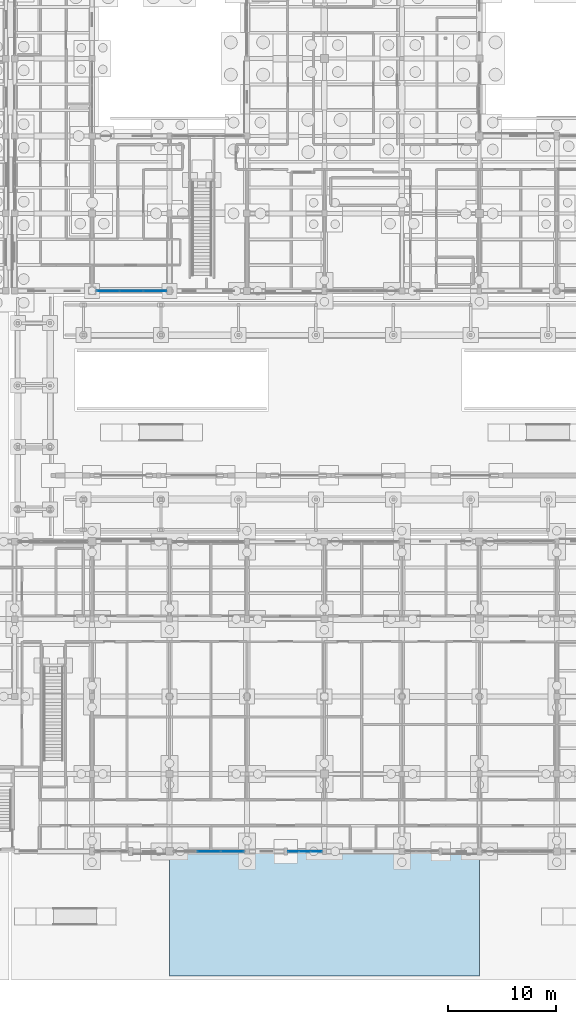
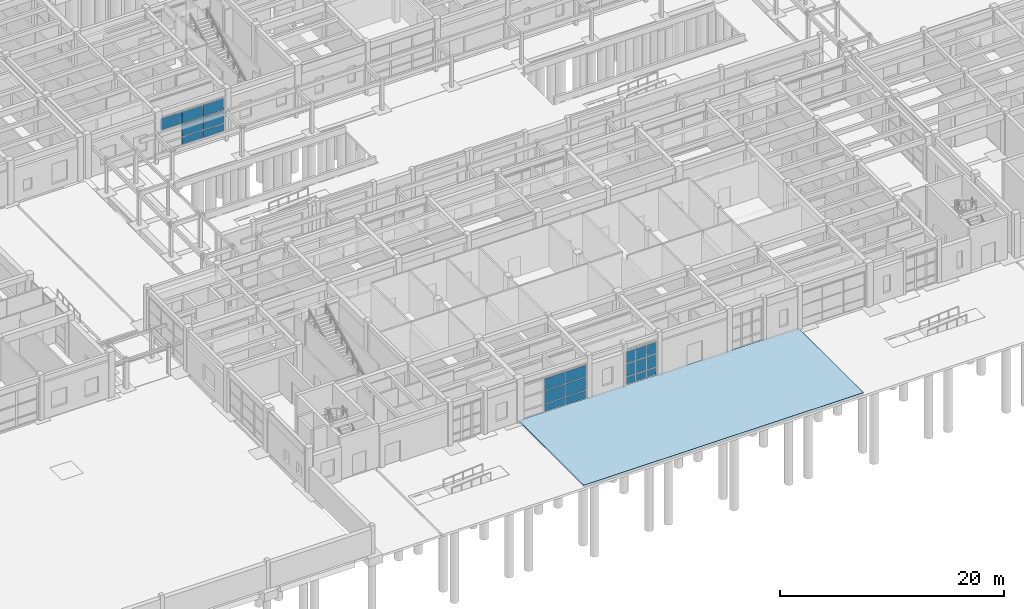
# One storey, part 80 of 143: 22 plates, 1 slab, 3 elements without a shape of their own.
"""IFC4 building model written with IfcOpenShell, lengths in metres."""

from ifc_helpers import new_model, si_unit, direction, frame, origin, origin_2d, place, context, subcontext, project, spatial, polyline, rectangle, outline, extrude, material, layer, layer_set, type_object, element, aggregate, save


model = new_model("IFC4")

# Units and contexts
model_context = context("Model", 3, precision=1e-05, world=origin(), true_north=direction((0.0, 1.0)))
body_context = subcontext(model_context, "Body", "Model", "MODEL_VIEW")
ifc_project = project(units=[si_unit("LENGTHUNIT", "METRE"), si_unit("AREAUNIT", "SQUARE_METRE"), si_unit("VOLUMEUNIT", "CUBIC_METRE"), si_unit("PLANEANGLEUNIT", "RADIAN"), si_unit("MASSUNIT", "GRAM", prefix="KILO")], contexts=[model_context])

# Site, building, storey
site_placement = place(None, origin())
site = spatial("IfcSite", under=ifc_project, at=site_placement, CompositionType="ELEMENT")
building_placement = place(site_placement, origin())
building = spatial("IfcBuilding", under=site, at=building_placement, Name="Steenspoor Specialist Clinic", CompositionType="ELEMENT")
storey_placement = place(building_placement, origin())
storey = spatial("IfcBuildingStorey", under=building, at=storey_placement, Name="L00", CompositionType="ELEMENT", Elevation=0.0)

# Curtain wall, plates
ifc_material_1 = material(Name="Thermally broken aluminium and low-emissivity glass", Category="aluminium")
curtain_wall_type_1 = type_object("IfcCurtainWallType", Name="CW-L00-660X415", PredefinedType="USERDEFINED", material=ifc_material_1)
curtain_wall_1_placement = place(storey_placement, origin())
curtain_wall_1 = element("IfcCurtainWall", 1, at=curtain_wall_1_placement, inside=storey, type_object=curtain_wall_type_1, Name="Unitised Curtain Wall CW-V1-L00-004", ObjectType="UNITISED GLAZING", PredefinedType="USERDEFINED")
ifc_material_2 = material(Name="Triple acoustic laminated low-emissivity glass", Category="glass")
ifc_layer_1 = layer(ifc_material_2, 0.048095703125)
ifc_layer_set_1 = layer_set([ifc_layer_1], Name="Triple acoustic laminated low-emissivity glass")
plate_type_1 = type_object("IfcPlateType", Name="CW-PAN-GL48", PredefinedType="CURTAIN_PANEL", material=ifc_layer_set_1)
plate_1_placement = place(storey_placement, frame((80.44677734375, 13.050048828125, 0.08984375), z_axis=(0.0, 0.0, 1.0), x_axis=(-1.0, 0.0, 0.0)))
plate_1 = element("IfcPlate", 2, at=plate_1_placement, type_object=plate_type_1, Name="CW-04 panel 1.1", PredefinedType="CURTAIN_PANEL", context=body_context, shape_type="SweptSolid", body=[
    extrude(rectangle(XDim=0.986572265625, YDim=0.048095703125, at=origin_2d()), origin(), (0.0, 0.0, 1.0), 0.764892578125),
])
plate_2_placement = place(storey_placement, frame((80.44677734375, 13.050048828125, 0.94482421875), z_axis=(0.0, 0.0, 1.0), x_axis=(-1.0, 0.0, 0.0)))
plate_2 = element("IfcPlate", 3, at=plate_2_placement, type_object=plate_type_1, Name="CW-04 panel 1.2", PredefinedType="CURTAIN_PANEL", context=body_context, shape_type="SweptSolid", body=[
    extrude(rectangle(XDim=0.986572265625, YDim=0.048095703125, at=origin_2d()), origin(), (0.0, 0.0, 1.0), 1.360107421875),
])
plate_3_placement = place(storey_placement, frame((80.44677734375, 13.050048828125, 2.39501953125), z_axis=(0.0, 0.0, 1.0), x_axis=(-1.0, 0.0, 0.0)))
plate_3 = element("IfcPlate", 4, at=plate_3_placement, type_object=plate_type_1, Name="CW-04 panel 1.3", PredefinedType="CURTAIN_PANEL", context=body_context, shape_type="SweptSolid", body=[
    extrude(rectangle(XDim=0.986572265625, YDim=0.048095703125, at=origin_2d()), origin(), (0.0, 0.0, 1.0), 1.2451171875),
])
plate_4_placement = place(storey_placement, frame((79.385009765625, 13.050048828125, 0.08984375), z_axis=(0.0, 0.0, 1.0), x_axis=(-1.0, 0.0, 0.0)))
plate_4 = element("IfcPlate", 5, at=plate_4_placement, type_object=plate_type_1, Name="CW-04 panel 2.1", PredefinedType="CURTAIN_PANEL", context=body_context, shape_type="SweptSolid", body=[
    extrude(rectangle(XDim=1.0166015625, YDim=0.048095703125, at=origin_2d()), origin(), (0.0, 0.0, 1.0), 0.764892578125),
])
plate_5_placement = place(storey_placement, frame((79.385009765625, 13.050048828125, 0.94482421875), z_axis=(0.0, 0.0, 1.0), x_axis=(-1.0, 0.0, 0.0)))
plate_5 = element("IfcPlate", 6, at=plate_5_placement, type_object=plate_type_1, Name="CW-04 panel 2.2", PredefinedType="CURTAIN_PANEL", context=body_context, shape_type="SweptSolid", body=[
    extrude(rectangle(XDim=1.0166015625, YDim=0.048095703125, at=origin_2d()), origin(), (0.0, 0.0, 1.0), 1.360107421875),
])
plate_6_placement = place(storey_placement, frame((79.385009765625, 13.050048828125, 2.39501953125), z_axis=(0.0, 0.0, 1.0), x_axis=(-1.0, 0.0, 0.0)))
plate_6 = element("IfcPlate", 7, at=plate_6_placement, type_object=plate_type_1, Name="CW-04 panel 2.3", PredefinedType="CURTAIN_PANEL", context=body_context, shape_type="SweptSolid", body=[
    extrude(rectangle(XDim=1.0166015625, YDim=0.048095703125, at=origin_2d()), origin(), (0.0, 0.0, 1.0), 1.2451171875),
])
plate_7_placement = place(storey_placement, frame((78.3232421875, 13.050048828125, 0.08984375), z_axis=(0.0, 0.0, 1.0), x_axis=(-1.0, 0.0, 0.0)))
plate_7 = element("IfcPlate", 8, at=plate_7_placement, type_object=plate_type_1, Name="CW-04 panel 3.1", PredefinedType="CURTAIN_PANEL", context=body_context, shape_type="SweptSolid", body=[
    extrude(rectangle(XDim=0.986572265625, YDim=0.048095703125, at=origin_2d()), origin(), (0.0, 0.0, 1.0), 0.764892578125),
])
plate_8_placement = place(storey_placement, frame((78.3232421875, 13.050048828125, 0.94482421875), z_axis=(0.0, 0.0, 1.0), x_axis=(-1.0, 0.0, 0.0)))
plate_8 = element("IfcPlate", 9, at=plate_8_placement, type_object=plate_type_1, Name="CW-04 panel 3.2", PredefinedType="CURTAIN_PANEL", context=body_context, shape_type="SweptSolid", body=[
    extrude(rectangle(XDim=0.986572265625, YDim=0.048095703125, at=origin_2d()), origin(), (0.0, 0.0, 1.0), 1.360107421875),
])
plate_9_placement = place(storey_placement, frame((78.3232421875, 13.050048828125, 2.39501953125), z_axis=(0.0, 0.0, 1.0), x_axis=(-1.0, 0.0, 0.0)))
plate_9 = element("IfcPlate", 10, at=plate_9_placement, type_object=plate_type_1, Name="CW-04 panel 3.3", PredefinedType="CURTAIN_PANEL", context=body_context, shape_type="SweptSolid", body=[
    extrude(rectangle(XDim=0.986572265625, YDim=0.048095703125, at=origin_2d()), origin(), (0.0, 0.0, 1.0), 1.2451171875),
])
aggregate(curtain_wall_1, [plate_1, plate_2, plate_3, plate_4, plate_5, plate_6, plate_7, plate_8, plate_9])

curtain_wall_type_2 = type_object("IfcCurtainWallType", Name="CW-L00-650X415", PredefinedType="USERDEFINED", material=ifc_material_1)
curtain_wall_2_placement = place(storey_placement, origin())
curtain_wall_2 = element("IfcCurtainWall", 11, at=curtain_wall_2_placement, inside=storey, type_object=curtain_wall_type_2, Name="Unitised Curtain Wall CW-V1-L00-005", ObjectType="UNITISED GLAZING", PredefinedType="USERDEFINED")
ifc_material_3 = material(Name="Insulated glazed ceramic spandrel panel", Category="glass")
ifc_layer_2 = layer(ifc_material_3, 0.074951171875)
ifc_layer_set_2 = layer_set([ifc_layer_2], Name="Insulated glazed ceramic spandrel panel")
plate_type_2 = type_object("IfcPlateType", Name="CW-PAN-SP75", PredefinedType="CURTAIN_PANEL", material=ifc_layer_set_2)
plate_10_placement = place(storey_placement, frame((72.6484375, 13.050048828125, 0.080078125), z_axis=(0.0, 0.0, 1.0), x_axis=(-1.0, 0.0, 0.0)))
plate_10 = element("IfcPlate", 12, at=plate_10_placement, type_object=plate_type_2, Name="CW-05 panel 1.1", PredefinedType="CURTAIN_PANEL", context=body_context, shape_type="SweptSolid", body=[
    extrude(rectangle(XDim=2.0732421875, YDim=0.074951171875, at=origin_2d()), origin(), (0.0, 0.0, 1.0), 0.780029296875),
])
plate_11_placement = place(storey_placement, frame((72.6484375, 13.050048828125, 0.93994140625), z_axis=(0.0, 0.0, 1.0), x_axis=(-1.0, 0.0, 0.0)))
plate_11 = element("IfcPlate", 13, at=plate_11_placement, type_object=plate_type_2, Name="CW-05 panel 1.2", PredefinedType="CURTAIN_PANEL", context=body_context, shape_type="SweptSolid", body=[
    extrude(rectangle(XDim=2.0732421875, YDim=0.074951171875, at=origin_2d()), origin(), (0.0, 0.0, 1.0), 1.3701171875),
])
plate_12_placement = place(storey_placement, frame((72.6484375, 13.050048828125, 2.39013671875), z_axis=(0.0, 0.0, 1.0), x_axis=(-1.0, 0.0, 0.0)))
plate_12 = element("IfcPlate", 14, at=plate_12_placement, type_object=plate_type_2, Name="CW-05 panel 1.3", PredefinedType="CURTAIN_PANEL", context=body_context, shape_type="SweptSolid", body=[
    extrude(rectangle(XDim=2.0732421875, YDim=0.074951171875, at=origin_2d()), origin(), (0.0, 0.0, 1.0), 1.260009765625),
])
plate_13_placement = place(storey_placement, frame((70.46240234375, 13.050048828125, 0.080078125), z_axis=(0.0, 0.0, 1.0), x_axis=(-1.0, 0.0, 0.0)))
plate_13 = element("IfcPlate", 15, at=plate_13_placement, type_object=plate_type_2, Name="CW-05 panel 2.1", PredefinedType="CURTAIN_PANEL", context=body_context, shape_type="SweptSolid", body=[
    extrude(rectangle(XDim=2.118408203125, YDim=0.074951171875, at=origin_2d()), origin(), (0.0, 0.0, 1.0), 0.780029296875),
])
plate_14_placement = place(storey_placement, frame((70.46240234375, 13.050048828125, 0.93994140625), z_axis=(0.0, 0.0, 1.0), x_axis=(-1.0, 0.0, 0.0)))
plate_14 = element("IfcPlate", 16, at=plate_14_placement, type_object=plate_type_2, Name="CW-05 panel 2.2", PredefinedType="CURTAIN_PANEL", context=body_context, shape_type="SweptSolid", body=[
    extrude(rectangle(XDim=2.118408203125, YDim=0.074951171875, at=origin_2d()), origin(), (0.0, 0.0, 1.0), 1.3701171875),
])
plate_15_placement = place(storey_placement, frame((70.46240234375, 13.050048828125, 2.39013671875), z_axis=(0.0, 0.0, 1.0), x_axis=(-1.0, 0.0, 0.0)))
plate_15 = element("IfcPlate", 17, at=plate_15_placement, type_object=plate_type_2, Name="CW-05 panel 2.3", PredefinedType="CURTAIN_PANEL", context=body_context, shape_type="SweptSolid", body=[
    extrude(rectangle(XDim=2.118408203125, YDim=0.074951171875, at=origin_2d()), origin(), (0.0, 0.0, 1.0), 1.260009765625),
])
aggregate(curtain_wall_2, [plate_10, plate_11, plate_12, plate_13, plate_14, plate_15])

curtain_wall_type_3 = type_object("IfcCurtainWallType", Name="CW-WLK-640X340", PredefinedType="USERDEFINED", material=ifc_material_1)
curtain_wall_3_placement = place(storey_placement, origin())
curtain_wall_3 = element("IfcCurtainWall", 18, at=curtain_wall_3_placement, inside=storey, type_object=curtain_wall_type_3, Name="Unitised Curtain Wall CW-V4-L00-044", ObjectType="UNITISED GLAZING", PredefinedType="USERDEFINED")
plate_16_placement = place(storey_placement, frame((65.4326171875, 65.14990234375, 0.08984375), z_axis=(0.0, 0.0, 1.0), x_axis=(-1.0, 0.0, 0.0)))
plate_16 = element("IfcPlate", 19, at=plate_16_placement, type_object=plate_type_2, Name="CW-20 panel 1.1", PredefinedType="CURTAIN_PANEL", context=body_context, shape_type="SweptSolid", body=[
    extrude(rectangle(XDim=2.094970703125, YDim=0.074951171875, at=origin_2d()), origin(), (0.0, 0.0, 1.0), 0.764892578125),
])
plate_17_placement = place(storey_placement, frame((65.4326171875, 65.14990234375, 0.94482421875), z_axis=(0.0, 0.0, 1.0), x_axis=(-1.0, 0.0, 0.0)))
plate_17 = element("IfcPlate", 20, at=plate_17_placement, type_object=plate_type_2, Name="CW-20 panel 1.2", PredefinedType="CURTAIN_PANEL", context=body_context, shape_type="SweptSolid", body=[
    extrude(rectangle(XDim=2.094970703125, YDim=0.074951171875, at=origin_2d()), origin(), (0.0, 0.0, 1.0), 1.360107421875),
])
plate_18_placement = place(storey_placement, frame((65.4326171875, 65.14990234375, 2.39501953125), z_axis=(0.0, 0.0, 1.0), x_axis=(-1.0, 0.0, 0.0)))
plate_18 = element("IfcPlate", 21, at=plate_18_placement, type_object=plate_type_2, Name="CW-20 panel 1.3", PredefinedType="CURTAIN_PANEL", context=body_context, shape_type="SweptSolid", body=[
    extrude(rectangle(XDim=2.094970703125, YDim=0.074951171875, at=origin_2d()), origin(), (0.0, 0.0, 1.0), 1.2451171875),
])
plate_19_placement = place(storey_placement, frame((63.25, 65.14990234375, 0.08984375), z_axis=(0.0, 0.0, 1.0), x_axis=(-1.0, 0.0, 0.0)))
plate_19 = element("IfcPlate", 22, at=plate_19_placement, type_object=plate_type_2, Name="CW-20 panel 2.1", PredefinedType="CURTAIN_PANEL", context=body_context, shape_type="SweptSolid", body=[
    extrude(rectangle(XDim=2.1298828125, YDim=0.074951171875, at=origin_2d()), origin(), (0.0, 0.0, 1.0), 0.764892578125),
])
plate_20_placement = place(storey_placement, frame((63.25, 65.14990234375, 0.94482421875), z_axis=(0.0, 0.0, 1.0), x_axis=(-1.0, 0.0, 0.0)))
plate_20 = element("IfcPlate", 23, at=plate_20_placement, type_object=plate_type_2, Name="CW-20 panel 2.2", PredefinedType="CURTAIN_PANEL", context=body_context, shape_type="SweptSolid", body=[
    extrude(rectangle(XDim=2.1298828125, YDim=0.074951171875, at=origin_2d()), origin(), (0.0, 0.0, 1.0), 1.360107421875),
])
plate_21_placement = place(storey_placement, frame((63.25, 65.14990234375, 2.39501953125), z_axis=(0.0, 0.0, 1.0), x_axis=(-1.0, 0.0, 0.0)))
plate_21 = element("IfcPlate", 24, at=plate_21_placement, type_object=plate_type_2, Name="CW-20 panel 2.3", PredefinedType="CURTAIN_PANEL", context=body_context, shape_type="SweptSolid", body=[
    extrude(rectangle(XDim=2.1298828125, YDim=0.074951171875, at=origin_2d()), origin(), (0.0, 0.0, 1.0), 1.2451171875),
])
plate_22_placement = place(storey_placement, frame((61.0673828125, 65.14990234375, 2.39501953125), z_axis=(0.0, 0.0, 1.0), x_axis=(-1.0, 0.0, 0.0)))
plate_22 = element("IfcPlate", 25, at=plate_22_placement, type_object=plate_type_2, Name="CW-20 panel 3.3", PredefinedType="CURTAIN_PANEL", context=body_context, shape_type="SweptSolid", body=[
    extrude(rectangle(XDim=2.094970703125, YDim=0.074951171875, at=origin_2d()), origin(), (0.0, 0.0, 1.0), 1.2451171875),
])
aggregate(curtain_wall_3, [plate_16, plate_17, plate_18, plate_19, plate_20, plate_21, plate_22])

# Slab
ifc_material_4 = material(Name="Concrete C35/45", Category="concrete")
ifc_layer_3 = layer(ifc_material_4, 0.18994140625)
ifc_layer_set_3 = layer_set([ifc_layer_3], Name="Concrete C35/45")
slab_type = type_object("IfcSlabType", Name="SL-WALK-190", PredefinedType="FLOOR", material=ifc_layer_set_3)
slab_placement = place(storey_placement, frame((0.0, 0.0, -0.18994140625)))
element("IfcSlab", 26, at=slab_placement, inside=storey, type_object=slab_type, Name="South Drop-Off Covered Apron Deck Terrace Deck", PredefinedType="FLOOR", context=body_context, shape_type="SweptSolid", body=[
    extrude(outline(polyline([(95.60009765625, 1.449951171875), (95.60009765625, 13.050048828125), (66.800048828125, 13.050048828125), (66.800048828125, 1.449951171875), (95.60009765625, 1.449951171875)])), origin(), (0.0, 0.0, 1.0), 0.18994140625),
])

save(model, "model.ifc")
